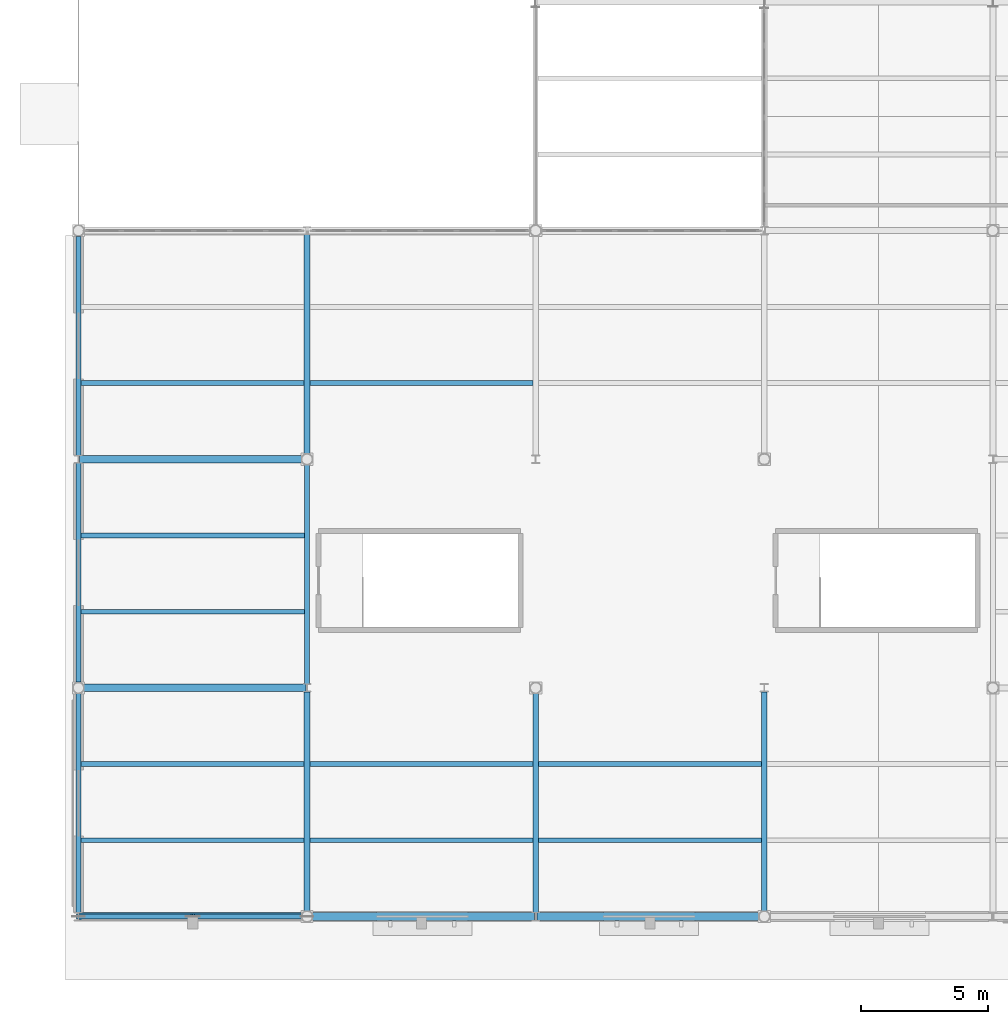
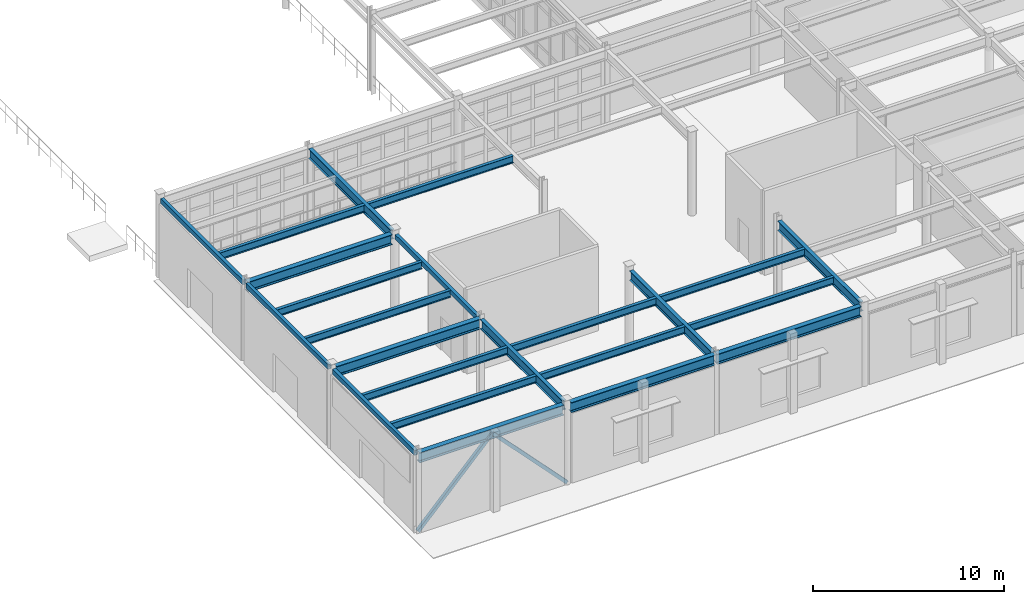
# One storey, part 24 of 79: 23 beams, 2 members.
"""IFC4 building model written with IfcOpenShell, lengths in metres."""

import ifcopenshell
import ifcopenshell.guid

model = None  # the IFC model being written
_history = None  # IfcOwnerHistory: only IFC2X3 demands one
_inside = {}  # id of a spatial element -> (the spatial element, [elements in it])
_under = {}  # id of a project, library or spatial element -> (it, [spatial elements below it])
_declared = {}  # id of a project -> (the project, [libraries it declares])
_typed = {}  # id of a type object -> (the type object, [elements of that type])
_made_of = {}  # id of a material, layer set ... -> (it, [elements and type objects made of it])


def new_model(schema):
    """Start an empty IFC model of exactly this schema.

    Asked for "IFC4X3", IfcOpenShell would pick the latest addendum, in which some entities
    have other attributes; the version numbers below select the first issue.
    IFC2X3 requires an IfcOwnerHistory on every rooted entity: one is made here for all.
    """
    global model, _history
    if schema == "IFC4X3":
        model = ifcopenshell.file(schema_version=(4, 3, 0, 0))
    else:
        model = ifcopenshell.file(schema=schema)
    _inside.clear()
    _under.clear()
    _declared.clear()
    _typed.clear()
    _made_of.clear()
    _history = None
    if model.schema == "IFC2X3":
        org = make("IfcOrganization", Name="unknown")
        user = make(
            "IfcPersonAndOrganization",
            ThePerson=make("IfcPerson", FamilyName="unknown"),
            TheOrganization=org,
        )
        app = make(
            "IfcApplication",
            ApplicationDeveloper=org,
            Version="unknown",
            ApplicationFullName="unknown",
            ApplicationIdentifier="unknown",
        )
        _history = make(
            "IfcOwnerHistory",
            OwningUser=user,
            OwningApplication=app,
            ChangeAction="ADDED",
            CreationDate=0,
        )
    return model


def make(cls, **values):
    """One entity of the class cls with the attributes given. An attribute that is None is left unset."""
    return model.create_entity(
        cls, **{name: value for name, value in values.items() if value is not None}
    )


def rooted(cls, **values):
    """An entity with a GlobalId (a new one), such as an element, a storey or a relation."""
    return make(cls, GlobalId=ifcopenshell.guid.new(), OwnerHistory=_history, **values)


def si_unit(unit_type, name, prefix=None):
    """IfcSIUnit, for example si_unit("LENGTHUNIT", "METRE", prefix="MILLI")."""
    return make("IfcSIUnit", UnitType=unit_type, Prefix=prefix, Name=name)


def assignment(units):
    """IfcUnitAssignment: the units of a project."""
    return None if units is None else make("IfcUnitAssignment", Units=units)


def point(xyz):
    """IfcCartesianPoint."""
    return None if xyz is None else make("IfcCartesianPoint", Coordinates=xyz)


def direction(xyz):
    """IfcDirection."""
    return None if xyz is None else make("IfcDirection", DirectionRatios=xyz)


def frame(location, z_axis=None, x_axis=None):
    """IfcAxis2Placement3D, a coordinate frame: its origin and axes. An axis left out is left unset."""
    return make(
        "IfcAxis2Placement3D",
        Location=point(location),
        Axis=direction(z_axis),
        RefDirection=direction(x_axis),
    )


def frame_2d(location, x_axis=None):
    """IfcAxis2Placement2D, a coordinate frame in the plane: its origin and x axis."""
    return make(
        "IfcAxis2Placement2D", Location=point(location), RefDirection=direction(x_axis)
    )


def origin():
    """The frame at (0, 0, 0) with its axes left unset."""
    return frame((0.0, 0.0, 0.0))


def origin_2d():
    """The frame at (0, 0) in the plane with its x axis left unset."""
    return frame_2d((0.0, 0.0))


def place(relative_to, where):
    """IfcLocalPlacement: puts the frame where relative to a parent placement (None: the world)."""
    return make(
        "IfcLocalPlacement", PlacementRelTo=relative_to, RelativePlacement=where
    )


def context(
    kind, dimensions, precision=None, world=None, true_north=None, identifier=None
):
    """IfcGeometricRepresentationContext, for example the 3D "Model" context."""
    return make(
        "IfcGeometricRepresentationContext",
        ContextIdentifier=identifier,
        ContextType=kind,
        CoordinateSpaceDimension=dimensions,
        Precision=precision,
        WorldCoordinateSystem=world,
        TrueNorth=true_north,
    )


def subcontext(parent, identifier, kind, view, scale=None):
    """IfcGeometricRepresentationSubContext, for example "Body" below "Model"."""
    return make(
        "IfcGeometricRepresentationSubContext",
        ContextIdentifier=identifier,
        ContextType=kind,
        ParentContext=parent,
        TargetScale=scale,
        TargetView=view,
    )


def project(units=None, contexts=None):
    """IfcProject with its units and contexts."""
    return rooted(
        "IfcProject",
        Name="project",
        RepresentationContexts=contexts,
        UnitsInContext=assignment(units),
    )


def spatial(cls, under=None, at=None, **own):
    """A site, building, storey or space (cls), placed at a placement, below another one or the project."""
    s = rooted(cls, ObjectPlacement=at, **own)
    if under is not None:
        _under.setdefault(under.id(), (under, []))[1].append(s)
    return s


def profile(cls, at=None, kind="AREA", **sizes):
    """A parametric profile (cls). Its sizes go by their IFC names, for example OverallWidth=200.0."""
    return make(cls, ProfileType=kind, Position=at, **sizes)


def hollow_rectangle(**sizes):
    """IfcRectangleHollowProfileDef."""
    return profile("IfcRectangleHollowProfileDef", **sizes)


def i_section(**sizes):
    """IfcIShapeProfileDef."""
    return profile("IfcIShapeProfileDef", **sizes)


def extrude(swept, where, along, depth):
    """IfcExtrudedAreaSolid: the profile swept, set in the frame where, extruded along a direction by depth."""
    return make(
        "IfcExtrudedAreaSolid",
        SweptArea=swept,
        Position=where,
        ExtrudedDirection=direction(along),
        Depth=depth,
    )


def shape(context_of_items, identifier, shape_type, items):
    """IfcShapeRepresentation: the items that make up one representation, for example the "Body"."""
    return make(
        "IfcShapeRepresentation",
        ContextOfItems=context_of_items,
        RepresentationIdentifier=identifier,
        RepresentationType=shape_type,
        Items=items,
    )


def material(Name=None, Category=None):
    """IfcMaterial."""
    return make("IfcMaterial", Name=Name, Category=Category)


def material_profile(
    of_material, cross_section, Name=None, Category=None, Priority=None
):
    """IfcMaterialProfile: a cross section and its material."""
    return make(
        "IfcMaterialProfile",
        Name=Name,
        Material=of_material,
        Profile=cross_section,
        Priority=Priority,
        Category=Category,
    )


def profile_set(profiles, Name=None, composite=None):
    """IfcMaterialProfileSet."""
    return make(
        "IfcMaterialProfileSet",
        Name=Name,
        MaterialProfiles=profiles,
        CompositeProfile=composite,
    )


def made_of(thing, what):
    """Note that an element or type object is made of a material, layer set ...; save() writes the relation."""
    if what is not None:
        _made_of.setdefault(what.id(), (what, []))[1].append(thing)
    return thing


def type_object(cls, material=None, **own):
    """A type object (cls), such as IfcWallType, which elements share."""
    return made_of(rooted(cls, **own), material)


def element(
    cls,
    number,
    at=None,
    inside=None,
    cuts=None,
    type_object=None,
    material=None,
    context=None,
    identifier="Body",
    shape_type=None,
    held_by="IfcProductDefinitionShape",
    body=None,
    shapes=None,
    **own,
):
    """One element of the class cls, such as IfcWall. Its Tag is "e" and its number.

    at: its placement. inside: the storey or other place that contains it. cuts: it is an
    opening in that element (IfcRelVoidsElement). A single representation is given by context,
    identifier, shape_type and body (its items); several are given by shapes. held_by: the class
    of the entity that holds the representations. save() writes the other relations.
    """
    e = rooted(cls, Tag="e%d" % number, ObjectPlacement=at, **own)
    if body is not None:
        shapes = [shape(context, identifier, shape_type, body)]
    if shapes is not None:
        e.Representation = make(held_by, Representations=shapes)
    if inside is not None:
        _inside.setdefault(inside.id(), (inside, []))[1].append(e)
    if cuts is not None:
        rooted(
            "IfcRelVoidsElement", RelatingBuildingElement=cuts, RelatedOpeningElement=e
        )
    if type_object is not None:
        _typed.setdefault(type_object.id(), (type_object, []))[1].append(e)
    return made_of(e, material)


def aggregate(whole, parts):
    """IfcRelAggregates: a whole, such as a stair, and the parts it consists of."""
    return rooted("IfcRelAggregates", RelatingObject=whole, RelatedObjects=parts)


def save(model, path):
    """Write the relations noted so far, then the file.

    IfcRelAggregates (storeys below a building ...), IfcRelContainedInSpatialStructure (elements
    in a storey), IfcRelDefinesByType, IfcRelAssociatesMaterial and IfcRelDeclares: one each for
    every whole, place, type object, material and project.
    """
    for whole, parts in _under.values():
        aggregate(whole, parts)
    for where, things in _inside.values():
        rooted(
            "IfcRelContainedInSpatialStructure",
            RelatedElements=things,
            RelatingStructure=where,
        )
    for kind, things in _typed.values():
        rooted("IfcRelDefinesByType", RelatedObjects=things, RelatingType=kind)
    for what, things in _made_of.values():
        rooted("IfcRelAssociatesMaterial", RelatedObjects=things, RelatingMaterial=what)
    for by, libraries in _declared.values():
        rooted("IfcRelDeclares", RelatingContext=by, RelatedDefinitions=libraries)
    model.write(path)


model = new_model("IFC4")

# Units and contexts
model_context = context("Model", 3, precision=1e-05, world=origin(), true_north=direction((0.0, 1.0)))
body_context = subcontext(model_context, "Body", "Model", "MODEL_VIEW")
ifc_project = project(units=[si_unit("LENGTHUNIT", "METRE"), si_unit("AREAUNIT", "SQUARE_METRE"), si_unit("VOLUMEUNIT", "CUBIC_METRE"), si_unit("PLANEANGLEUNIT", "RADIAN"), si_unit("MASSUNIT", "GRAM", prefix="KILO")], contexts=[model_context])

# Site, building, storey
site_placement = place(None, origin())
site = spatial("IfcSite", under=ifc_project, at=site_placement, CompositionType="ELEMENT")
building_placement = place(site_placement, origin())
building = spatial("IfcBuilding", under=site, at=building_placement, Name="Glasvene Arena", CompositionType="ELEMENT")
storey_placement = place(building_placement, origin())
storey = spatial("IfcBuildingStorey", under=building, at=storey_placement, Name="L00", CompositionType="ELEMENT", Elevation=0.0)

# Beams
ifc_material = material(Name="Steel S355J2", Category="steel")
ifc_material_profile_1 = material_profile(ifc_material, i_section(OverallWidth=0.300048828125, OverallDepth=0.64990234375, WebThickness=0.01611328125, FlangeThickness=0.031005859375, FilletRadius=0.027099609375, at=origin_2d()), Name="HEB 650")
ifc_profile_set_1 = profile_set([ifc_material_profile_1], Name="Steel S355J2")
beam_type_1 = type_object("IfcBeamType", Name="BM-FOYER-CANT", PredefinedType="BEAM", material=ifc_profile_set_1)
for number, where, z_axis, x_axis, name in (
    (1, (0.050048828125, 0.0, 4.794921875), (1.0, 0.0, 0.0), (0.0, 1.0, 0.0), "Primary X girder L00-0280"),
    (2, (9.223388671875, 0.0, 4.794921875), (1.0, 0.0, 0.0), (0.0, 1.0, 0.0), "Primary X girder L00-0281"),
    (3, (18.050048828125, 0.0, 4.794921875), (1.0, 0.0, 0.0), (0.0, 1.0, 0.0), "Primary X girder L00-0282"),
    (4, (0.223388671875, 9.0, 4.794921875), (1.0, 0.0, 0.0), (0.0, 1.0, 0.0), "Primary X girder L00-0286"),
    (5, (0.050048828125, 18.0, 4.794921875), (1.0, 0.0, 0.0), (0.0, 1.0, 0.0), "Primary X girder L00-0289"),
):
    element("IfcBeam", number, at=place(storey_placement, frame(where, z_axis=z_axis, x_axis=x_axis)), inside=storey, type_object=beam_type_1, Name=name, PredefinedType="BEAM", context=body_context, shape_type="SweptSolid", body=[
        extrude(i_section(OverallWidth=0.300048828125, OverallDepth=0.64990234375, WebThickness=0.01611328125, FlangeThickness=0.031005859375, FilletRadius=0.027099609375, at=origin_2d()), origin(), (0.0, 0.0, 1.0), 8.7265625),
    ])
ifc_material_profile_2 = material_profile(ifc_material, i_section(OverallWidth=0.228271484375, OverallDepth=0.607666015625, WebThickness=0.010986328125, FlangeThickness=0.017333984375, FilletRadius=0.0126953125, at=origin_2d()), Name="UKB 610x229x113")
ifc_profile_set_2 = profile_set([ifc_material_profile_2], Name="Steel S355J2")
beam_type_2 = type_object("IfcBeamType", Name="BM-GIRD-610", PredefinedType="BEAM", material=ifc_profile_set_2)
for number, where, z_axis, x_axis, name in (
    (6, (9.0, 0.223388671875, 4.816162109375), (0.0, 1.0, 0.0), (-1.0, 0.0, 0.0), "Primary Y girder L00-0362"),
    (7, (9.0, 18.223388671875, 4.816162109375), (0.0, 1.0, 0.0), (-1.0, 0.0, 0.0), "Primary Y girder L00-0364"),
    (8, (18.0, 0.1552734375, 4.816162109375), (0.0, 1.0, 0.0), (-1.0, 0.0, 0.0), "Primary Y girder L00-0368"),
    (9, (27.0, 0.223388671875, 4.816162109375), (0.0, 1.0, 0.0), (-1.0, 0.0, 0.0), "Primary Y girder L00-0376"),
):
    element("IfcBeam", number, at=place(storey_placement, frame(where, z_axis=z_axis, x_axis=x_axis)), inside=storey, type_object=beam_type_2, Name=name, PredefinedType="BEAM", context=body_context, shape_type="SweptSolid", body=[
        extrude(i_section(OverallWidth=0.228271484375, OverallDepth=0.607666015625, WebThickness=0.010986328125, FlangeThickness=0.017333984375, FilletRadius=0.0126953125, at=origin_2d()), origin(), (0.0, 0.0, 1.0), 8.621337890625),
    ])
ifc_material_profile_3 = material_profile(ifc_material, i_section(OverallWidth=0.1904296875, OverallDepth=0.45703125, WebThickness=0.009033203125, FlangeThickness=0.014404296875, FilletRadius=0.01025390625, at=origin_2d()), Name="UKB 457x191x74")
ifc_profile_set_3 = profile_set([ifc_material_profile_3], Name="Steel S355J2")
beam_type_3 = type_object("IfcBeamType", Name="BM-JOIST-457", PredefinedType="JOIST", material=ifc_profile_set_3)
for number, where, z_axis, x_axis, name in (
    (10, (0.095947265625, 3.0, 4.8916015625), (1.0, 0.0, 0.0), (0.0, 1.0, 0.0), "Composite floor joist L00-0424"),
    (11, (0.095947265625, 6.0, 4.8916015625), (1.0, 0.0, 0.0), (0.0, 1.0, 0.0), "Composite floor joist L00-0425"),
):
    element("IfcBeam", number, at=place(storey_placement, frame(where, z_axis=z_axis, x_axis=x_axis)), inside=storey, type_object=beam_type_3, Name=name, PredefinedType="JOIST", context=body_context, shape_type="SweptSolid", body=[
        extrude(i_section(OverallWidth=0.1904296875, OverallDepth=0.45703125, WebThickness=0.009033203125, FlangeThickness=0.014404296875, FilletRadius=0.01025390625, at=origin_2d()), origin(), (0.0, 0.0, 1.0), 8.7939453125),
    ])
for number, where, z_axis, x_axis, name in (
    (12, (0.095947265625, 12.0, 4.8916015625), (1.0, 0.0, 0.0), (0.0, 1.0, 0.0), "Composite floor joist L00-0426"),
    (13, (0.095947265625, 15.0, 4.8916015625), (1.0, 0.0, 0.0), (0.0, 1.0, 0.0), "Composite floor joist L00-0427"),
):
    element("IfcBeam", number, at=place(storey_placement, frame(where, z_axis=z_axis, x_axis=x_axis)), inside=storey, type_object=beam_type_3, Name=name, PredefinedType="JOIST", context=body_context, shape_type="SweptSolid", body=[
        extrude(i_section(OverallWidth=0.1904296875, OverallDepth=0.45703125, WebThickness=0.009033203125, FlangeThickness=0.014404296875, FilletRadius=0.01025390625, at=origin_2d()), origin(), (0.0, 0.0, 1.0), 8.80810546875),
    ])
beam_placement = place(storey_placement, frame((0.095947265625, 21.0, 4.8916015625), z_axis=(1.0, 0.0, 0.0), x_axis=(0.0, 1.0, 0.0)))
element("IfcBeam", 14, at=beam_placement, inside=storey, type_object=beam_type_3, Name="Composite floor joist L00-0428", PredefinedType="JOIST", context=body_context, shape_type="SweptSolid", body=[
    extrude(i_section(OverallWidth=0.1904296875, OverallDepth=0.45703125, WebThickness=0.009033203125, FlangeThickness=0.014404296875, FilletRadius=0.01025390625, at=origin_2d()), origin(), (0.0, 0.0, 1.0), 8.7939453125),
])
for number, where, z_axis, x_axis, name in (
    (15, (9.110107421875, 3.0, 4.8916015625), (1.0, 0.0, 0.0), (0.0, 1.0, 0.0), "Composite floor joist L00-0436"),
    (16, (9.110107421875, 6.0, 4.8916015625), (1.0, 0.0, 0.0), (0.0, 1.0, 0.0), "Composite floor joist L00-0437"),
    (17, (9.110107421875, 21.0, 4.8916015625), (1.0, 0.0, 0.0), (0.0, 1.0, 0.0), "Composite floor joist L00-0438"),
    (18, (18.110107421875, 3.0, 4.8916015625), (1.0, 0.0, 0.0), (0.0, 1.0, 0.0), "Composite floor joist L00-0444"),
    (19, (18.110107421875, 6.0, 4.8916015625), (1.0, 0.0, 0.0), (0.0, 1.0, 0.0), "Composite floor joist L00-0445"),
):
    element("IfcBeam", number, at=place(storey_placement, frame(where, z_axis=z_axis, x_axis=x_axis)), inside=storey, type_object=beam_type_3, Name=name, PredefinedType="JOIST", context=body_context, shape_type="SweptSolid", body=[
        extrude(i_section(OverallWidth=0.1904296875, OverallDepth=0.45703125, WebThickness=0.009033203125, FlangeThickness=0.014404296875, FilletRadius=0.01025390625, at=origin_2d()), origin(), (0.0, 0.0, 1.0), 8.77978515625),
    ])
ifc_material_profile_4 = material_profile(ifc_material, hollow_rectangle(XDim=0.199951171875, YDim=0.300048828125, WallThickness=0.012451171875, at=origin_2d()), Name="RHS 300x200x12.5")
ifc_profile_set_4 = profile_set([ifc_material_profile_4], Name="Steel S355J2")
beam_type_4 = type_object("IfcBeamType", Name="BM-SPAND-300", PredefinedType="SPANDREL", material=ifc_profile_set_4)
for number, where, z_axis, x_axis, name in (
    (20, (0.0, 0.1552734375, 4.969970703125), (0.0, 1.0, 0.0), (-1.0, 0.0, 0.0), "Primary Y girder L00-0352"),
    (21, (0.0, 9.223388671875, 4.969970703125), (0.0, 1.0, 0.0), (-1.0, 0.0, 0.0), "Primary Y girder L00-0353"),
    (22, (0.0, 18.1552734375, 4.969970703125), (0.0, 1.0, 0.0), (-1.0, 0.0, 0.0), "Primary Y girder L00-0354"),
    (23, (9.0, 9.1552734375, 4.969970703125), (0.0, 1.0, 0.0), (-1.0, 0.0, 0.0), "Primary Y girder L00-0363"),
):
    element("IfcBeam", number, at=place(storey_placement, frame(where, z_axis=z_axis, x_axis=x_axis)), inside=storey, type_object=beam_type_4, Name=name, PredefinedType="SPANDREL", context=body_context, shape_type="SweptSolid", body=[
        extrude(hollow_rectangle(XDim=0.199951171875, YDim=0.300048828125, WallThickness=0.012451171875, at=origin_2d()), origin(), (0.0, 0.0, 1.0), 8.621337890625),
    ])

# Members
ifc_material_profile_5 = material_profile(ifc_material, hollow_rectangle(XDim=0.199951171875, YDim=0.199951171875, WallThickness=0.010009765625, at=origin_2d()), Name="SHS 200x200x10.0")
ifc_profile_set_5 = profile_set([ifc_material_profile_5], Name="Steel S355J2")
member_type = type_object("IfcMemberType", Name="MB-BRACE-SHS200", PredefinedType="BRACE", material=ifc_profile_set_5)
for number, where, z_axis, x_axis, name in (
    (24, (0.0, 0.0, 0.050048828125), (0.690040218266, 0.0, 0.723771025377), (0.0, 1.0, 0.0), "Perimeter lateral chevron brace L00-037-A"),
    (25, (9.0, 0.0, 0.050048828125), (-0.690040218266, 0.0, 0.723771025377), (0.0, -1.0, 0.0), "Perimeter lateral chevron brace L00-038-B"),
):
    element("IfcMember", number, at=place(storey_placement, frame(where, z_axis=z_axis, x_axis=x_axis)), inside=storey, type_object=member_type, Name=name, PredefinedType="BRACE", context=body_context, shape_type="SweptSolid", body=[
        extrude(hollow_rectangle(XDim=0.199951171875, YDim=0.199951171875, WallThickness=0.010009765625, at=origin_2d()), origin(), (0.0, 0.0, 1.0), 6.521240234375),
    ])

save(model, "model.ifc")
